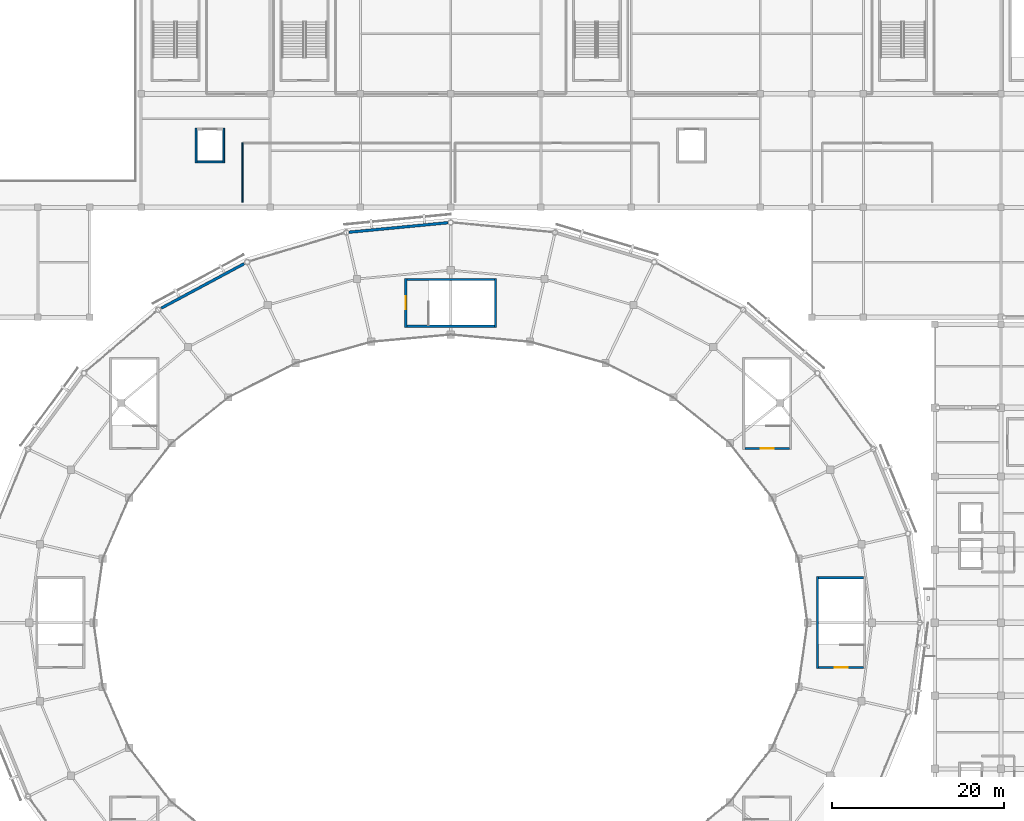
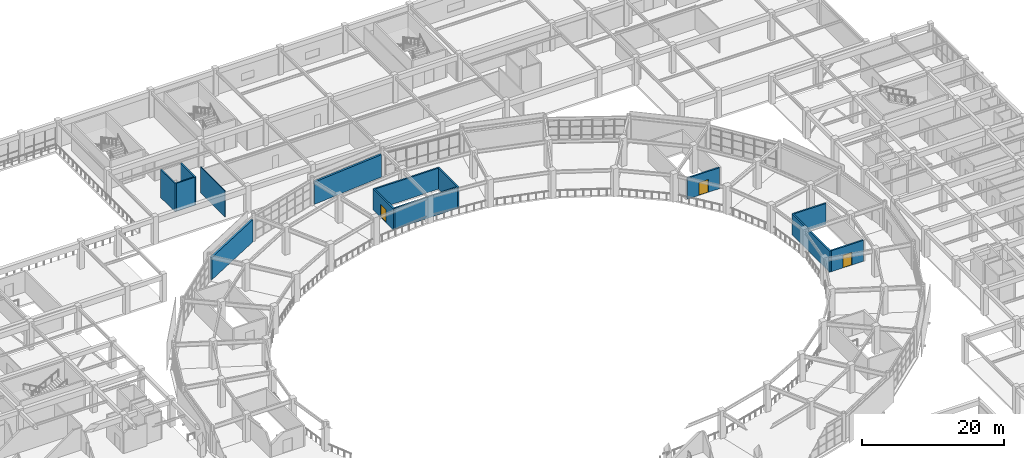
# One storey, part 85 of 112: 14 walls, 3 doors, 3 openings.
"""IFC4 building model written with IfcOpenShell, lengths in metres."""

from ifc_helpers import new_model, si_unit, direction, frame, frame_2d, origin, place, context, subcontext, project, spatial, rectangle, extrude, material, layer, layer_set, type_object, element, fill, save


model = new_model("IFC4")

# Units and contexts
model_context = context("Model", 3, precision=1e-05, world=origin(), true_north=direction((0.0, 1.0)))
body_context = subcontext(model_context, "Body", "Model", "MODEL_VIEW")
ifc_project = project(units=[si_unit("LENGTHUNIT", "METRE"), si_unit("AREAUNIT", "SQUARE_METRE"), si_unit("VOLUMEUNIT", "CUBIC_METRE"), si_unit("PLANEANGLEUNIT", "RADIAN"), si_unit("MASSUNIT", "GRAM", prefix="KILO")], contexts=[model_context])

# Site, building, storey
site_placement = place(None, origin())
site = spatial("IfcSite", under=ifc_project, at=site_placement, CompositionType="ELEMENT")
building_placement = place(site_placement, origin())
building = spatial("IfcBuilding", under=site, at=building_placement, Name="Cuetzalor Civic Arena", CompositionType="ELEMENT")
storey_placement = place(building_placement, frame((0.0, 0.0, 11.39990234375)))
storey = spatial("IfcBuildingStorey", under=building, at=storey_placement, Name="L02", CompositionType="ELEMENT", Elevation=11.39990234375)

# Walls
ifc_material_1 = material(Name="Acoustic steel-stud gypsum partition", Category="steel")
ifc_layer_1 = layer(ifc_material_1, 0.14990234375)
ifc_layer_set_1 = layer_set([ifc_layer_1], Name="Acoustic steel-stud gypsum partition")
wall_type_1 = type_object("IfcWallType", Name="AcousticGypsumPartition_150", PredefinedType="PARTITIONING", material=ifc_layer_set_1)
wall_1_placement = place(storey_placement, frame((-24.199951171875, 48.89990234375, 0.0), z_axis=(0.0, 0.0, 1.0), x_axis=(0.0, 1.0, 0.0)))
element("IfcWall", 1, at=wall_1_placement, inside=storey, type_object=wall_type_1, Name="Interior Partition IWALL:L02:0381", PredefinedType="PARTITIONING", context=body_context, shape_type="SweptSolid", body=[
    extrude(rectangle(XDim=6.900146484375, YDim=0.14990234375, at=frame_2d((3.4501953125, 0.0))), origin(), (0.0, 0.0, 1.0), 4.440185546875),
])
ifc_material_2 = material(Name="Concrete C40/50", Category="concrete")
ifc_layer_2 = layer(ifc_material_2, 0.25)
ifc_layer_set_2 = layer_set([ifc_layer_2], Name="Concrete C40/50")
wall_type_2 = type_object("IfcWallType", Name="ConcreteCoreShearWall_250", PredefinedType="SHEAR", material=ifc_layer_set_2)
wall_2_placement = place(storey_placement, frame((42.675048828125, -5.35009765625, 0.0), z_axis=(0.0, 0.0, 1.0), x_axis=(0.0, 1.0, 0.0)))
element("IfcWall", 2, at=wall_2_placement, inside=storey, type_object=wall_type_2, Name="Stair Core Shear Wall ST-01-L02-W", PredefinedType="SHEAR", context=body_context, shape_type="SweptSolid", body=[
    extrude(rectangle(XDim=10.7001953125, YDim=0.25, at=frame_2d((5.35009765625, 0.0))), origin(), (0.0, 0.0, 1.0), 3.60009765625),
])
wall_3_placement = place(storey_placement, frame((42.800048828125, 5.22509765625, 0.0), z_axis=(0.0, 0.0, 1.0), x_axis=(1.0, 0.0, 0.0)))
element("IfcWall", 3, at=wall_3_placement, inside=storey, type_object=wall_type_2, Name="Stair Core Shear Wall ST-01-L02-N", PredefinedType="SHEAR", context=body_context, shape_type="SweptSolid", body=[
    extrude(rectangle(XDim=5.199951171875, YDim=0.25, at=frame_2d((2.60009765625, 0.0))), origin(), (0.0, 0.0, 1.0), 3.60009765625),
])

# Wall, opening, door
wall_4_placement = place(storey_placement, frame((48.0, -5.22509765625, 0.0), z_axis=(0.0, 0.0, 1.0), x_axis=(-1.0, 0.0, 0.0)))
wall_4 = element("IfcWall", 4, at=wall_4_placement, inside=storey, type_object=wall_type_2, Name="Stair Core Shear Wall ST-01-L02-S", PredefinedType="SHEAR", context=body_context, shape_type="SweptSolid", body=[
    extrude(rectangle(XDim=5.199951171875, YDim=0.25, at=frame_2d((2.60009765625, 0.0))), origin(), (0.0, 0.0, 1.0), 3.60009765625),
])
opening_1_placement = place(wall_4_placement, frame((1.85009765625, 0.0, 0.0)))
opening_1 = element("IfcOpeningElement", 5, at=opening_1_placement, cuts=wall_4, Name="Opening FD-03", PredefinedType="OPENING", context=body_context, shape_type="SweptSolid", body=[
    extrude(rectangle(XDim=1.5, YDim=2.199951171875, at=frame_2d((0.75, 1.10009765625))), frame((0.0, 0.135009765625, 0.0), z_axis=(0.0, -1.0, 0.0), x_axis=(1.0, 0.0, 0.0)), (0.0, 0.0, 1.0), 0.27001953125),
])
ifc_material_3 = material(Name="Fire-rated steel stair exit double door", Category="steel")
door_type = type_object("IfcDoorType", Name="StairFireDoubleDoor_1500x2200", OperationType="DOUBLE_DOOR_SINGLE_SWING", PredefinedType="DOOR", material=ifc_material_3)
door_1_placement = place(opening_1_placement, origin())
door_1 = element("IfcDoor", 6, at=door_1_placement, inside=storey, type_object=door_type, Name="Fire Stair Door ST-01 L02", OperationType="DOUBLE_DOOR_SINGLE_SWING", OverallHeight=2.199951171875, OverallWidth=1.5, PredefinedType="DOOR", context=body_context, shape_type="SweptSolid", body=[
    extrude(rectangle(XDim=1.5, YDim=2.199951171875, at=frame_2d((0.75, 1.10009765625))), frame((0.0, 0.02490234375, 0.0), z_axis=(0.0, -1.0, 0.0), x_axis=(1.0, 0.0, 0.0)), (0.0, 0.0, 1.0), 0.050048828125),
])
fill(opening_1, door_1)

wall_5_placement = place(storey_placement, frame((39.39990234375, 20.27490234375, 0.0), z_axis=(0.0, 0.0, 1.0), x_axis=(-1.0, 0.0, 0.0)))
wall_5 = element("IfcWall", 7, at=wall_5_placement, inside=storey, type_object=wall_type_2, Name="Stair Core Shear Wall ST-02-L02-S", PredefinedType="SHEAR", context=body_context, shape_type="SweptSolid", body=[
    extrude(rectangle(XDim=5.199951171875, YDim=0.25, at=frame_2d((2.60009765625, 0.0))), origin(), (0.0, 0.0, 1.0), 3.60009765625),
])
opening_2_placement = place(wall_5_placement, frame((1.85009765625, 0.0, 0.0)))
opening_2 = element("IfcOpeningElement", 8, at=opening_2_placement, cuts=wall_5, Name="Opening FD-03", PredefinedType="OPENING", context=body_context, shape_type="SweptSolid", body=[
    extrude(rectangle(XDim=1.5, YDim=2.199951171875, at=frame_2d((0.75, 1.10009765625))), frame((0.0, 0.135009765625, 0.0), z_axis=(0.0, -1.0, 0.0), x_axis=(1.0, 0.0, 0.0)), (0.0, 0.0, 1.0), 0.27001953125),
])
door_2_placement = place(opening_2_placement, origin())
door_2 = element("IfcDoor", 9, at=door_2_placement, inside=storey, type_object=door_type, Name="Fire Stair Door ST-02 L02", OperationType="DOUBLE_DOOR_SINGLE_SWING", OverallHeight=2.199951171875, OverallWidth=1.5, PredefinedType="DOOR", context=body_context, shape_type="SweptSolid", body=[
    extrude(rectangle(XDim=1.5, YDim=2.199951171875, at=frame_2d((0.75, 1.10009765625))), frame((0.0, 0.02490234375, 0.0), z_axis=(0.0, -1.0, 0.0), x_axis=(1.0, 0.0, 0.0)), (0.0, 0.0, 1.0), 0.050048828125),
])
fill(opening_2, door_2)

wall_6_placement = place(storey_placement, frame((-5.22509765625, 34.35009765625, 0.0), z_axis=(0.0, 0.0, 1.0), x_axis=(0.0, 1.0, 0.0)))
wall_6 = element("IfcWall", 10, at=wall_6_placement, inside=storey, type_object=wall_type_2, Name="Stair Core Shear Wall ST-03-L02-W", PredefinedType="SHEAR", context=body_context, shape_type="SweptSolid", body=[
    extrude(rectangle(XDim=5.699951171875, YDim=0.25, at=frame_2d((2.85009765625, 0.0))), origin(), (0.0, 0.0, 1.0), 3.60009765625),
])
opening_3_placement = place(wall_6_placement, frame((2.10009765625, 0.0, 0.0)))
opening_3 = element("IfcOpeningElement", 11, at=opening_3_placement, cuts=wall_6, Name="Opening FD-03", PredefinedType="OPENING", context=body_context, shape_type="SweptSolid", body=[
    extrude(rectangle(XDim=1.5, YDim=2.199951171875, at=frame_2d((0.75, 1.10009765625))), frame((0.0, 0.135009765625, 0.0), z_axis=(0.0, -1.0, 0.0), x_axis=(1.0, 0.0, 0.0)), (0.0, 0.0, 1.0), 0.27001953125),
])
door_3_placement = place(opening_3_placement, origin())
door_3 = element("IfcDoor", 12, at=door_3_placement, inside=storey, type_object=door_type, Name="Fire Stair Door ST-03 L02", OperationType="DOUBLE_DOOR_SINGLE_SWING", OverallHeight=2.199951171875, OverallWidth=1.5, PredefinedType="DOOR", context=body_context, shape_type="SweptSolid", body=[
    extrude(rectangle(XDim=1.5, YDim=2.199951171875, at=frame_2d((0.75, 1.10009765625))), frame((0.0, 0.02490234375, 0.0), z_axis=(0.0, -1.0, 0.0), x_axis=(1.0, 0.0, 0.0)), (0.0, 0.0, 1.0), 0.050048828125),
])
fill(opening_3, door_3)

# Walls
wall_7_placement = place(storey_placement, frame((-5.10009765625, 39.925048828125, 0.0), z_axis=(0.0, 0.0, 1.0), x_axis=(1.0, 0.0, 0.0)))
element("IfcWall", 13, at=wall_7_placement, inside=storey, type_object=wall_type_2, Name="Stair Core Shear Wall ST-03-L02-N", PredefinedType="SHEAR", context=body_context, shape_type="SweptSolid", body=[
    extrude(rectangle(XDim=10.2001953125, YDim=0.25, at=frame_2d((5.10009765625, 0.0))), origin(), (0.0, 0.0, 1.0), 3.60009765625),
])
wall_8_placement = place(storey_placement, frame((5.22509765625, 40.050048828125, 0.0), z_axis=(0.0, 0.0, 1.0), x_axis=(0.0, -1.0, 0.0)))
element("IfcWall", 14, at=wall_8_placement, inside=storey, type_object=wall_type_2, Name="Stair Core Shear Wall ST-03-L02-E", PredefinedType="SHEAR", context=body_context, shape_type="SweptSolid", body=[
    extrude(rectangle(XDim=5.699951171875, YDim=0.25, at=frame_2d((2.85009765625, 0.0))), origin(), (0.0, 0.0, 1.0), 3.60009765625),
])
wall_9_placement = place(storey_placement, frame((5.10009765625, 34.47509765625, 0.0), z_axis=(0.0, 0.0, 1.0), x_axis=(-1.0, 0.0, 0.0)))
element("IfcWall", 15, at=wall_9_placement, inside=storey, type_object=wall_type_2, Name="Stair Core Shear Wall ST-03-L02-S", PredefinedType="SHEAR", context=body_context, shape_type="SweptSolid", body=[
    extrude(rectangle(XDim=10.2001953125, YDim=0.25, at=frame_2d((5.10009765625, 0.0))), origin(), (0.0, 0.0, 1.0), 3.60009765625),
])
ifc_material_4 = material(Name="Precast concrete C40/50 insulated cladding", Category="concrete")
ifc_layer_3 = layer(ifc_material_4, 0.320068359375)
ifc_layer_set_3 = layer_set([ifc_layer_3], Name="Precast concrete C40/50 insulated cladding")
wall_type_3 = type_object("IfcWallType", Name="InsulatedPrecastWall_320", PredefinedType="SOLIDWALL", material=ifc_layer_set_3)
wall_10_placement = place(storey_placement, frame((-11.8251953125, 45.4130859375, 0.0), z_axis=(0.0, 0.0, 1.0), x_axis=(0.995408913067, 0.095713613383, 0.0)))
element("IfcWall", 16, at=wall_10_placement, inside=storey, type_object=wall_type_3, Name="Drum Acoustic Backing Wall L02-029", PredefinedType="SOLIDWALL", context=body_context, shape_type="SweptSolid", body=[
    extrude(rectangle(XDim=11.56494140625, YDim=0.320068359375, at=frame_2d((5.782470703125, 0.0))), origin(), (0.0, 0.0, 1.0), 3.83203125),
])
wall_11_placement = place(storey_placement, frame((-33.663330078125, 36.580810546875, 0.0), z_axis=(0.0, 0.0, 1.0), x_axis=(0.881305503949, 0.472546938102, 0.0)))
element("IfcWall", 17, at=wall_11_placement, inside=storey, type_object=wall_type_3, Name="Drum Acoustic Backing Wall L02-030", PredefinedType="SOLIDWALL", context=body_context, shape_type="SweptSolid", body=[
    extrude(rectangle(XDim=10.9462890625, YDim=0.320068359375, at=frame_2d((5.47314453125, 0.0))), origin(), (0.0, 0.0, 1.0), 3.83203125),
])
ifc_material_5 = material(Name="Concrete C40/50", Category="concrete")
ifc_layer_4 = layer(ifc_material_5, 0.219970703125)
ifc_layer_set_4 = layer_set([ifc_layer_4], Name="Concrete C40/50")
wall_type_4 = type_object("IfcWallType", Name="LiftShaftShearWall_220", PredefinedType="SHEAR", material=ifc_layer_set_4)
for number, where, z_axis, x_axis, name in (
    (18, (-29.610107421875, 53.47998046875, 0.0), (0.0, 0.0, 1.0), (0.0, 1.0, 0.0), "Lift Shaft Wall LS-01-L02-W"),
    (19, (-26.389892578125, 57.52001953125, 0.0), (0.0, 0.0, 1.0), (0.0, -1.0, 0.0), "Lift Shaft Wall LS-01-L02-E"),
):
    element("IfcWall", number, at=place(storey_placement, frame(where, z_axis=z_axis, x_axis=x_axis)), inside=storey, type_object=wall_type_4, Name=name, PredefinedType="SHEAR", context=body_context, shape_type="SweptSolid", body=[
        extrude(rectangle(XDim=4.0400390625, YDim=0.219970703125, at=frame_2d((2.02001953125, 0.0))), origin(), (0.0, 0.0, 1.0), 4.800048828125),
    ])
wall_12_placement = place(storey_placement, frame((-26.5, 53.590087890625, 0.0), z_axis=(0.0, 0.0, 1.0), x_axis=(-1.0, 0.0, 0.0)))
element("IfcWall", 20, at=wall_12_placement, inside=storey, type_object=wall_type_4, Name="Lift Shaft Wall LS-01-L02-S", PredefinedType="SHEAR", context=body_context, shape_type="SweptSolid", body=[
    extrude(rectangle(XDim=3.0, YDim=0.219970703125, at=frame_2d((1.5, 0.0))), origin(), (0.0, 0.0, 1.0), 4.800048828125),
])

save(model, "model.ifc")
